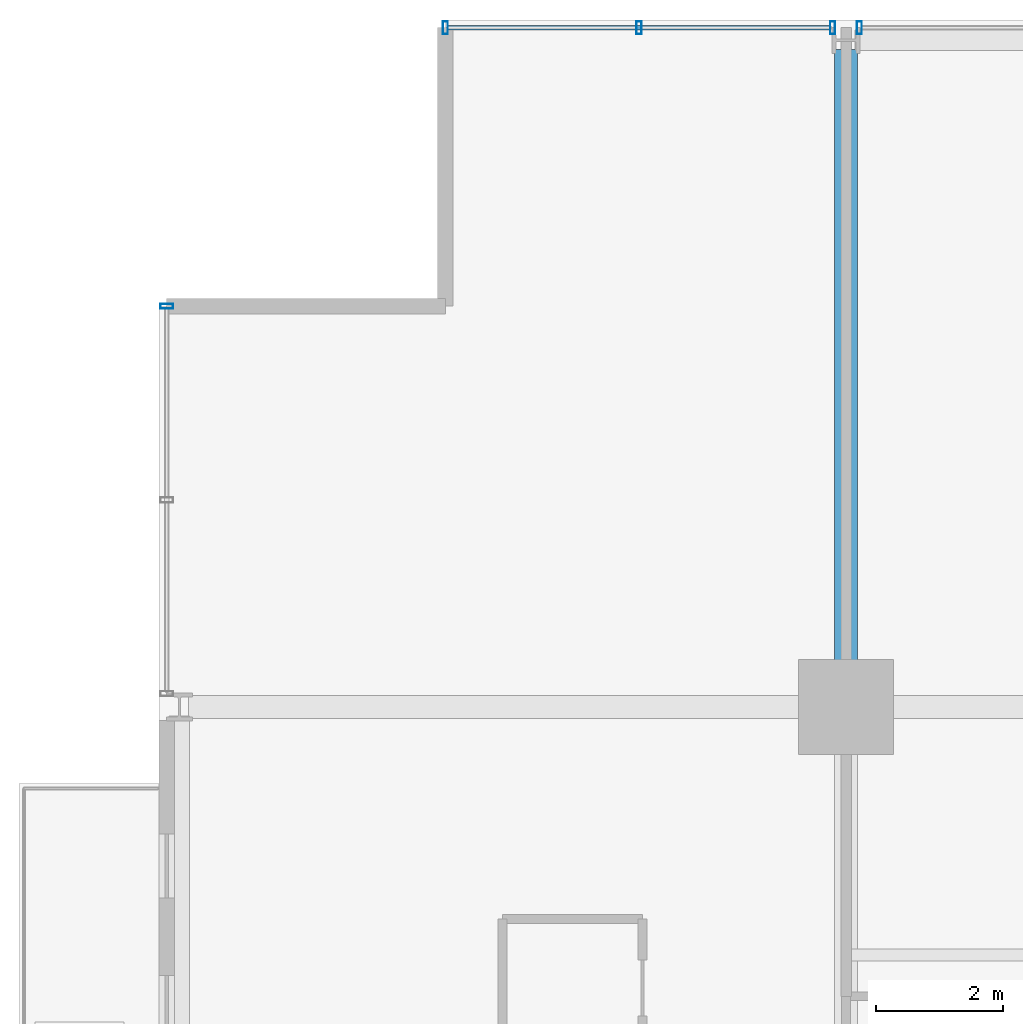
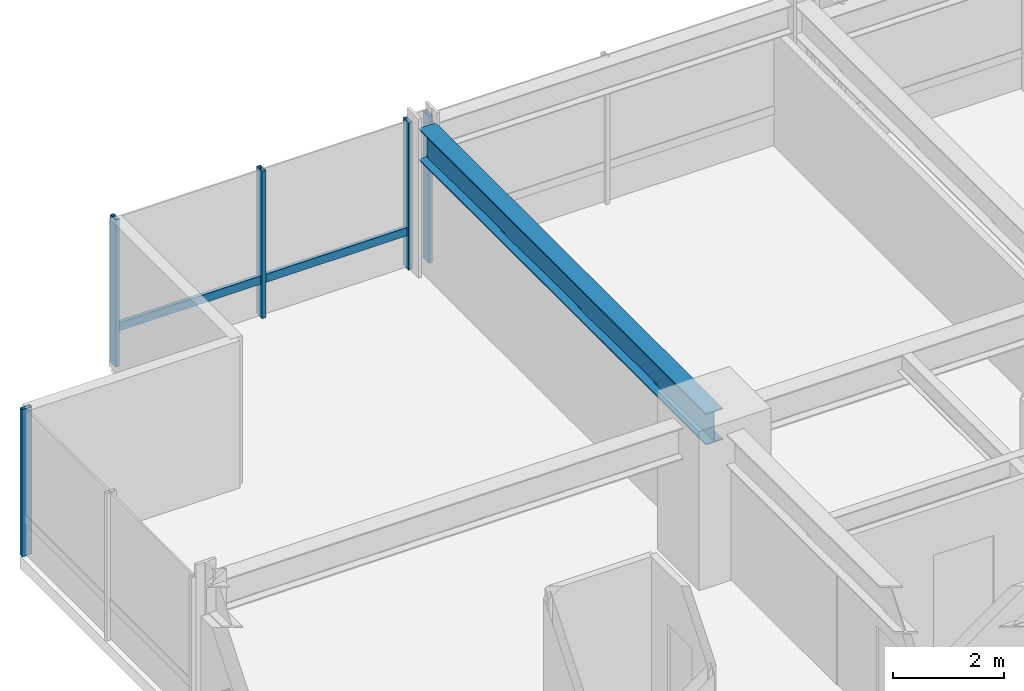
# One storey, part 20 of 35: 6 members, 1 beam, 3 elements without a shape of their own.
"""IFC4 building model written with IfcOpenShell, lengths in metres."""

from ifc_helpers import new_model, si_unit, direction, frame, origin, origin_2d, place, context, subcontext, project, spatial, hollow_rectangle, i_section, extrude, material, layer, layer_set, material_profile, profile_set, type_object, element, aggregate, save


model = new_model("IFC4")

# Units and contexts
model_context = context("Model", 3, precision=1e-05, world=origin(), true_north=direction((0.0, 1.0)))
body_context = subcontext(model_context, "Body", "Model", "MODEL_VIEW")
ifc_project = project(units=[si_unit("LENGTHUNIT", "METRE"), si_unit("AREAUNIT", "SQUARE_METRE"), si_unit("VOLUMEUNIT", "CUBIC_METRE"), si_unit("PLANEANGLEUNIT", "RADIAN"), si_unit("MASSUNIT", "GRAM", prefix="KILO")], contexts=[model_context])

# Site, building, storey
site_placement = place(None, origin())
site = spatial("IfcSite", under=ifc_project, at=site_placement, CompositionType="ELEMENT")
building_placement = place(site_placement, origin())
building = spatial("IfcBuilding", under=site, at=building_placement, Name="Drelvath Grand Hotel", CompositionType="ELEMENT")
storey_placement = place(building_placement, frame((0.0, 0.0, 130.300048828125)))
storey = spatial("IfcBuildingStorey", under=building, at=storey_placement, Name="L33", CompositionType="ELEMENT", Elevation=130.300048828125)

# Curtain wall, member
ifc_material_1 = material(Name="Champagne Bronze Anodised Aluminium Frame", Category="aluminium")
ifc_layer = layer(ifc_material_1, 0.199951171875)
ifc_layer_set = layer_set([ifc_layer], Name="Champagne Bronze Anodised Aluminium Frame")
curtain_wall_type = type_object("IfcCurtainWallType", Name="Stick Curtain Wall CW-03 Champagne Bronze Mid-Rise", PredefinedType="NOTDEFINED", material=ifc_layer_set)
curtain_wall_1_placement = place(storey_placement, origin())
curtain_wall_1 = element("IfcCurtainWall", 1, at=curtain_wall_1_placement, inside=storey, type_object=curtain_wall_type, Name="L33 CW-03 Curtain Wall CW03-L33-NW1", PredefinedType="NOTDEFINED")
ifc_material_profile_1 = material_profile(ifc_material_1, hollow_rectangle(XDim=0.074951171875, YDim=0.179931640625, WallThickness=0.0048828125, at=origin_2d()), Name="HSS180X75X5")
ifc_profile_set_1 = profile_set([ifc_material_profile_1], Name="Champagne Bronze Anodised Aluminium Frame")
member_type_1 = type_object("IfcMemberType", Name="Curtain Wall Horizontal Transom CW-03 HSS180X75X5", PredefinedType="USERDEFINED", material=ifc_profile_set_1)
member_1_placement = place(storey_placement, frame((-22.4599609375, 53.8798828125, 0.81005859375), z_axis=(1.0, 0.0, 0.0), x_axis=(0.0, 1.0, 0.0)))
member_1 = element("IfcMember", 2, at=member_1_placement, type_object=member_type_1, Name="CW03-L33-NW1 Sill Transom", ObjectType="TRANSOM", PredefinedType="USERDEFINED", context=body_context, shape_type="SweptSolid", body=[
    extrude(hollow_rectangle(XDim=0.074951171875, YDim=0.179931640625, WallThickness=0.0048828125, at=origin_2d()), origin(), (0.0, 0.0, 1.0), 6.010498046875),
])

curtain_wall_2_placement = place(storey_placement, origin())
curtain_wall_2 = element("IfcCurtainWall", 3, at=curtain_wall_2_placement, inside=storey, type_object=curtain_wall_type, Name="L33 CW-03 Curtain Wall CW03-L33-WN3", PredefinedType="NOTDEFINED")
ifc_material_profile_2 = material_profile(ifc_material_1, hollow_rectangle(XDim=0.080078125, YDim=0.199951171875, WallThickness=0.0048828125, at=origin_2d()), Name="HSS200X80X5")
ifc_profile_set_2 = profile_set([ifc_material_profile_2], Name="Champagne Bronze Anodised Aluminium Frame")
member_type_2 = type_object("IfcMemberType", Name="Curtain Wall Vertical Mullion CW-03 HSS200X80X5", PredefinedType="MULLION", material=ifc_profile_set_2)
member_2_placement = place(storey_placement, frame((-26.8798828125, 49.5, 0.0), z_axis=(0.0, 0.0, 1.0), x_axis=(0.0, 1.0, 0.0)))
member_2 = element("IfcMember", 4, at=member_2_placement, type_object=member_type_2, Name="CW03-L33-WN3 Mullion 3", PredefinedType="MULLION", context=body_context, shape_type="SweptSolid", body=[
    extrude(hollow_rectangle(XDim=0.080078125, YDim=0.199951171875, WallThickness=0.0048828125, at=origin_2d()), origin(), (0.0, 0.0, 1.0), 3.239990234375),
])
aggregate(curtain_wall_2, [member_2])

# Member
member_3_placement = place(storey_placement, frame((-22.5, 53.8798828125, 0.0), z_axis=(0.0, 0.0, 1.0), x_axis=(1.0, 0.0, 0.0)))
member_3 = element("IfcMember", 5, at=member_3_placement, type_object=member_type_2, Name="CW03-L33-NW1 Mullion 1", PredefinedType="MULLION", context=body_context, shape_type="SweptSolid", body=[
    extrude(hollow_rectangle(XDim=0.080078125, YDim=0.199951171875, WallThickness=0.0048828125, at=origin_2d()), origin(), (0.0, 0.0, 1.0), 3.239990234375),
])

member_4_placement = place(storey_placement, frame((-19.45458984375, 53.8798828125, 0.0), z_axis=(0.0, 0.0, 1.0), x_axis=(1.0, 0.0, 0.0)))
member_4 = element("IfcMember", 6, at=member_4_placement, type_object=member_type_2, Name="CW03-L33-NW1 Mullion 2", PredefinedType="MULLION", context=body_context, shape_type="SweptSolid", body=[
    extrude(hollow_rectangle(XDim=0.080078125, YDim=0.199951171875, WallThickness=0.0048828125, at=origin_2d()), origin(), (0.0, 0.0, 1.0), 3.239990234375),
])

member_5_placement = place(storey_placement, frame((-16.409423828125, 53.8798828125, 0.0), z_axis=(0.0, 0.0, 1.0), x_axis=(1.0, 0.0, 0.0)))
member_5 = element("IfcMember", 7, at=member_5_placement, type_object=member_type_2, Name="CW03-L33-NW1 Mullion 3", PredefinedType="MULLION", context=body_context, shape_type="SweptSolid", body=[
    extrude(hollow_rectangle(XDim=0.080078125, YDim=0.199951171875, WallThickness=0.0048828125, at=origin_2d()), origin(), (0.0, 0.0, 1.0), 3.239990234375),
])

aggregate(curtain_wall_1, [member_3, member_4, member_5, member_1])

# Curtain wall, member
curtain_wall_3_placement = place(storey_placement, origin())
curtain_wall_3 = element("IfcCurtainWall", 8, at=curtain_wall_3_placement, inside=storey, type_object=curtain_wall_type, Name="L33 CW-03 Curtain Wall CW03-L33-NW2", PredefinedType="NOTDEFINED")
member_6_placement = place(storey_placement, frame((-15.990478515625, 53.8798828125, 0.0), z_axis=(0.0, 0.0, 1.0), x_axis=(1.0, 0.0, 0.0)))
member_6 = element("IfcMember", 9, at=member_6_placement, type_object=member_type_2, Name="CW03-L33-NW2 Mullion 1", PredefinedType="MULLION", context=body_context, shape_type="SweptSolid", body=[
    extrude(hollow_rectangle(XDim=0.080078125, YDim=0.199951171875, WallThickness=0.0048828125, at=origin_2d()), origin(), (0.0, 0.0, 1.0), 3.239990234375),
])
aggregate(curtain_wall_3, [member_6])

# Beam
ifc_material_2 = material(Name="Steel ASTM A992 Gr 50", Category="steel")
ifc_material_profile_3 = material_profile(ifc_material_2, i_section(OverallWidth=0.354736328125, OverallDepth=0.695556640625, WebThickness=0.015380859375, FlangeThickness=0.025146484375, FilletRadius=0.02392578125, at=origin_2d()), Name="W27X146")
ifc_profile_set_3 = profile_set([ifc_material_profile_3], Name="Steel ASTM A992 Gr 50")
beam_type = type_object("IfcBeamType", Name="Primary Floor Girder W27X146", PredefinedType="BEAM", material=ifc_profile_set_3)
beam_placement = place(storey_placement, frame((-16.199951171875, 43.199951171875, 2.892333984375), z_axis=(0.0, 1.0, 0.0), x_axis=(-1.0, 0.0, 0.0)))
element("IfcBeam", 10, at=beam_placement, inside=storey, type_object=beam_type, Name="L33 North Grid Girder 3", PredefinedType="BEAM", context=body_context, shape_type="SweptSolid", body=[
    extrude(i_section(OverallWidth=0.354736328125, OverallDepth=0.695556640625, WebThickness=0.015380859375, FlangeThickness=0.025146484375, FilletRadius=0.02392578125, at=origin_2d()), origin(), (0.0, 0.0, 1.0), 10.340087890625),
])

save(model, "model.ifc")
